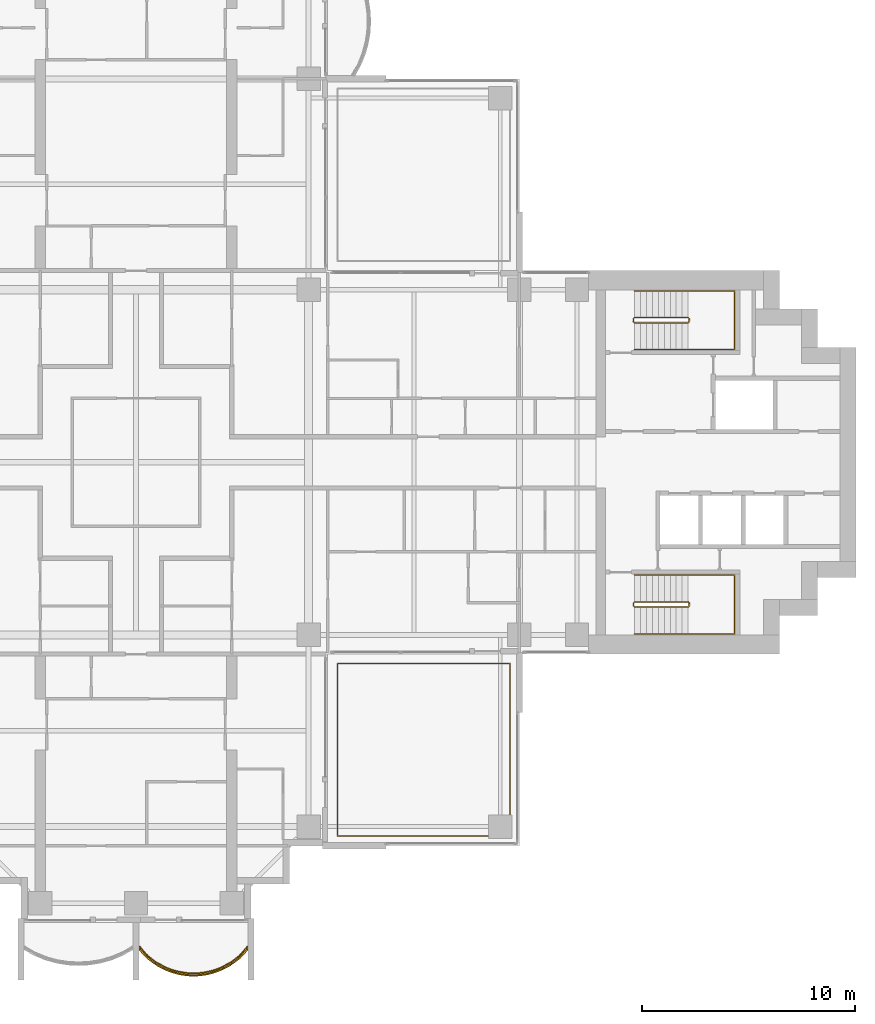
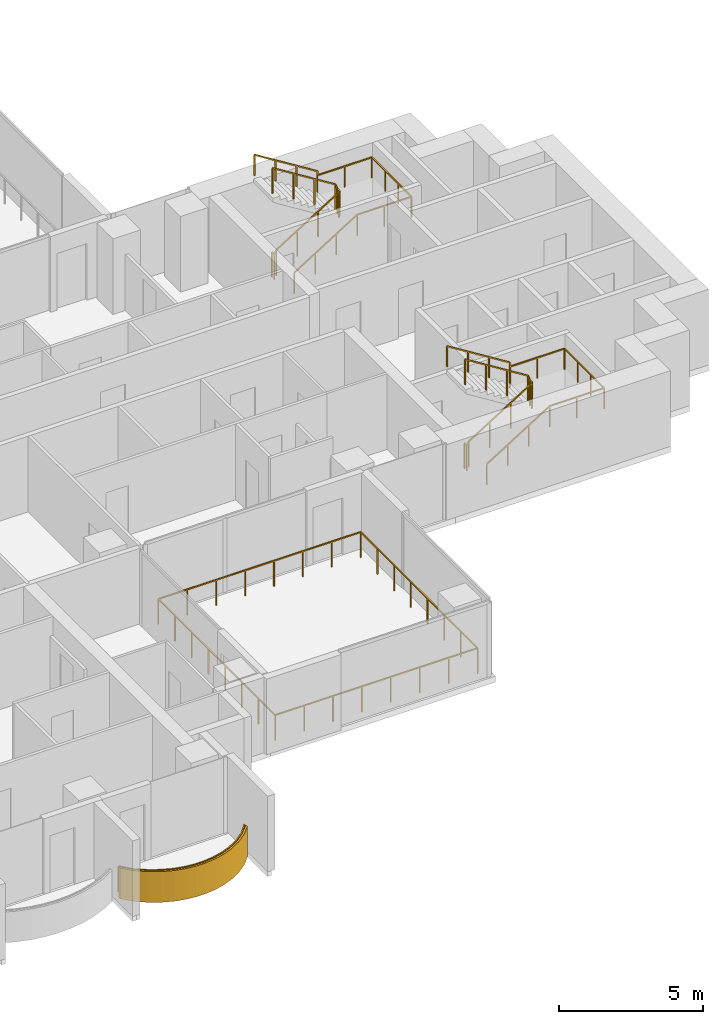
# One storey, part 17 of 19: 6 railings, 1 covering.
"""IFC4 building model written with IfcOpenShell, lengths in metres."""

from ifc_helpers import new_model, si_unit, direction, frame, origin, origin_2d, place, context, subcontext, project, spatial, polyline, rectangle, outline, extrude, material, layer, layer_set, type_object, element, save


model = new_model("IFC4")

# Units and contexts
model_context = context("Model", 3, precision=1e-05, world=origin(), true_north=direction((0.0, 1.0)))
body_context = subcontext(model_context, "Body", "Model", "MODEL_VIEW")
ifc_project = project(units=[si_unit("LENGTHUNIT", "METRE"), si_unit("AREAUNIT", "SQUARE_METRE"), si_unit("VOLUMEUNIT", "CUBIC_METRE"), si_unit("PLANEANGLEUNIT", "RADIAN"), si_unit("MASSUNIT", "GRAM", prefix="KILO")], contexts=[model_context])

# Site, building, storey
site_placement = place(None, origin())
site = spatial("IfcSite", under=ifc_project, at=site_placement, CompositionType="ELEMENT")
building_placement = place(site_placement, origin())
building = spatial("IfcBuilding", under=site, at=building_placement, Name="Perihelion Cross Residences", CompositionType="ELEMENT")
storey_placement = place(building_placement, frame((0.0, 0.0, 151.39990234375)))
storey = spatial("IfcBuildingStorey", under=building, at=storey_placement, Name="L37", CompositionType="ELEMENT", Elevation=151.39990234375)

# Covering
ifc_material_1 = material(Name="Bronze anodised aluminium", Category="aluminium")
ifc_layer = layer(ifc_material_1, 0.070068359375)
ifc_layer_set = layer_set([ifc_layer], Name="Balcony fascia 1300")
covering_type = type_object("IfcCoveringType", Name="Balcony fascia 1300", PredefinedType="CLADDING", material=ifc_layer_set)
covering_placement = place(storey_placement, frame((0.0, 0.0, -0.199951171875)))
element("IfcCovering", 1, at=covering_placement, inside=storey, type_object=covering_type, Name="Fascia BF1 L37 south tip south bay 2", PredefinedType="CLADDING", context=body_context, shape_type="SweptSolid", body=[
    extrude(outline(polyline([(0.4951171875, -23.27392578125), (0.89599609375, -23.58251953125), (1.296875, -23.806396484375), (1.69775390625, -23.9638671875), (2.0986328125, -24.064697265625), (2.49951171875, -24.114013671875), (2.900390625, -24.114013671875), (3.30126953125, -24.064697265625), (3.7021484375, -23.9638671875), (4.10302734375, -23.806396484375), (4.50390625, -23.58251953125), (4.90478515625, -23.27392578125), (5.25, -22.90283203125), (5.25, -22.800048828125), (4.857666015625, -23.22216796875), (4.46533203125, -23.524169921875), (4.072998046875, -23.7431640625), (3.6806640625, -23.897216796875), (3.28857421875, -23.995849609375), (2.896240234375, -24.0439453125), (2.50390625, -24.0439453125), (2.111572265625, -23.995849609375), (1.71923828125, -23.897216796875), (1.326904296875, -23.7431640625), (0.9345703125, -23.524169921875), (0.542236328125, -23.22216796875), (0.14990234375, -22.800048828125), (0.14990234375, -22.90283203125), (0.4951171875, -23.27392578125)])), origin(), (0.0, 0.0, 1.0), 1.300048828125),
])

# Railings
ifc_material_2 = material(Name="Bronze anodised aluminium", Category="aluminium")
railing_type_1 = type_object("IfcRailingType", Name="Balcony guard 1100", PredefinedType="GUARDRAIL", material=ifc_material_2)
railing_1_placement = place(storey_placement, frame((0.175048828125, -22.739990234375, 0.0)))
element("IfcRailing", 2, at=railing_1_placement, inside=storey, type_object=railing_type_1, Name="Guard GU1 L37 south tip south bay 2 balcony", PredefinedType="GUARDRAIL", context=body_context, shape_type="SweptSolid", body=[
    extrude(rectangle(XDim=0.048095703125, YDim=0.048095703125, at=origin_2d()), frame((0.0, 0.0, 1.076171875), z_axis=(0.656308349551, -0.754492776844, 0.0), x_axis=(0.754492776844, 0.656308349551, 0.0)), (0.0, 0.0, 1.0), 0.5595703125),
    extrude(rectangle(XDim=0.048095703125, YDim=0.048095703125, at=origin_2d()), frame((0.3671875, -0.422119140625, 1.076171875), z_axis=(0.792422303655, -0.609972862241, 0.0), x_axis=(0.609972862241, 0.792422303655, 0.0)), (0.0, 0.0, 1.0), 0.4951171875),
    extrude(rectangle(XDim=0.048095703125, YDim=0.048095703125, at=origin_2d()), frame((0.759521484375, -0.72412109375, 1.076171875), z_axis=(0.873181568748, -0.487395063576, 0.0), x_axis=(0.487395063576, 0.873181568748, 0.0)), (0.0, 0.0, 1.0), 0.44921875),
    extrude(rectangle(XDim=0.048095703125, YDim=0.048095703125, at=origin_2d()), frame((1.15185546875, -0.943115234375, 1.076171875), z_axis=(0.930617693705, -0.365992770642, 0.0), x_axis=(0.365992770642, 0.930617693705, 0.0)), (0.0, 0.0, 1.0), 0.421630859375),
    extrude(rectangle(XDim=0.048095703125, YDim=0.048095703125, at=origin_2d()), frame((1.544189453125, -1.097412109375, 1.076171875), z_axis=(0.969964714601, -0.243245662716, 0.0), x_axis=(0.243245662716, 0.969964714601, 0.0)), (0.0, 0.0, 1.0), 0.404541015625),
    extrude(rectangle(XDim=0.048095703125, YDim=0.048095703125, at=origin_2d()), frame((1.9365234375, -1.19580078125, 1.076171875), z_axis=(0.992494874491, -0.122286238425, 0.0), x_axis=(0.122286238425, 0.992494874491, 0.0)), (0.0, 0.0, 1.0), 0.395263671875),
    extrude(rectangle(XDim=0.048095703125, YDim=0.048095703125, at=origin_2d()), frame((2.328857421875, -1.244140625, 1.076171875), z_axis=(1.0, 0.0, 0.0), x_axis=(0.0, 1.0, 0.0)), (0.0, 0.0, 1.0), 0.392333984375),
    extrude(rectangle(XDim=0.048095703125, YDim=0.048095703125, at=origin_2d()), frame((2.72119140625, -1.244140625, 1.076171875), z_axis=(0.992494874491, 0.122286238425, 0.0), x_axis=(-0.122286238425, 0.992494874491, 0.0)), (0.0, 0.0, 1.0), 0.395263671875),
    extrude(rectangle(XDim=0.048095703125, YDim=0.048095703125, at=origin_2d()), frame((3.113525390625, -1.19580078125, 1.076171875), z_axis=(0.96992896989, 0.243388153715, 0.0), x_axis=(-0.243388153715, 0.96992896989, 0.0)), (0.0, 0.0, 1.0), 0.404296875),
    extrude(rectangle(XDim=0.048095703125, YDim=0.048095703125, at=origin_2d()), frame((3.505615234375, -1.097412109375, 1.076171875), z_axis=(0.930617693705, 0.365992770642, 0.0), x_axis=(-0.365992770642, 0.930617693705, 0.0)), (0.0, 0.0, 1.0), 0.421630859375),
    extrude(rectangle(XDim=0.048095703125, YDim=0.048095703125, at=origin_2d()), frame((3.89794921875, -0.943115234375, 1.076171875), z_axis=(0.873181568748, 0.487395063576, 0.0), x_axis=(-0.487395063576, 0.873181568748, 0.0)), (0.0, 0.0, 1.0), 0.44921875),
    extrude(rectangle(XDim=0.048095703125, YDim=0.048095703125, at=origin_2d()), frame((4.290283203125, -0.72412109375, 1.076171875), z_axis=(0.792422303655, 0.609972862241, 0.0), x_axis=(-0.609972862241, 0.792422303655, 0.0)), (0.0, 0.0, 1.0), 0.4951171875),
    extrude(rectangle(XDim=0.048095703125, YDim=0.048095703125, at=origin_2d()), frame((4.6826171875, -0.422119140625, 1.076171875), z_axis=(0.656556653543, 0.754276713606, 0.0), x_axis=(-0.754276713606, 0.656556653543, 0.0)), (0.0, 0.0, 1.0), 0.5595703125),
    extrude(rectangle(XDim=0.0419921875, YDim=0.0419921875, at=origin_2d()), origin(), (0.0, 0.0, 1.0), 1.052001953125),
    extrude(rectangle(XDim=0.0419921875, YDim=0.0419921875, at=origin_2d()), frame((0.3671875, -0.422119140625, 0.0)), (0.0, 0.0, 1.0), 1.052001953125),
    extrude(rectangle(XDim=0.0419921875, YDim=0.0419921875, at=origin_2d()), frame((0.759521484375, -0.72412109375, 0.0)), (0.0, 0.0, 1.0), 1.052001953125),
    extrude(rectangle(XDim=0.0419921875, YDim=0.0419921875, at=origin_2d()), frame((1.15185546875, -0.943115234375, 0.0)), (0.0, 0.0, 1.0), 1.052001953125),
    extrude(rectangle(XDim=0.0419921875, YDim=0.0419921875, at=origin_2d()), frame((1.544189453125, -1.097412109375, 0.0)), (0.0, 0.0, 1.0), 1.052001953125),
    extrude(rectangle(XDim=0.0419921875, YDim=0.0419921875, at=origin_2d()), frame((1.9365234375, -1.19580078125, 0.0)), (0.0, 0.0, 1.0), 1.052001953125),
    extrude(rectangle(XDim=0.0419921875, YDim=0.0419921875, at=origin_2d()), frame((2.328857421875, -1.244140625, 0.0)), (0.0, 0.0, 1.0), 1.052001953125),
    extrude(rectangle(XDim=0.0419921875, YDim=0.0419921875, at=origin_2d()), frame((2.72119140625, -1.244140625, 0.0)), (0.0, 0.0, 1.0), 1.052001953125),
    extrude(rectangle(XDim=0.0419921875, YDim=0.0419921875, at=origin_2d()), frame((3.113525390625, -1.19580078125, 0.0)), (0.0, 0.0, 1.0), 1.052001953125),
    extrude(rectangle(XDim=0.0419921875, YDim=0.0419921875, at=origin_2d()), frame((3.505615234375, -1.097412109375, 0.0)), (0.0, 0.0, 1.0), 1.052001953125),
    extrude(rectangle(XDim=0.0419921875, YDim=0.0419921875, at=origin_2d()), frame((3.89794921875, -0.943115234375, 0.0)), (0.0, 0.0, 1.0), 1.052001953125),
    extrude(rectangle(XDim=0.0419921875, YDim=0.0419921875, at=origin_2d()), frame((4.290283203125, -0.72412109375, 0.0)), (0.0, 0.0, 1.0), 1.052001953125),
    extrude(rectangle(XDim=0.0419921875, YDim=0.0419921875, at=origin_2d()), frame((4.6826171875, -0.422119140625, 0.0)), (0.0, 0.0, 1.0), 1.052001953125),
    extrude(rectangle(XDim=0.0419921875, YDim=0.0419921875, at=origin_2d()), frame((5.050048828125, 0.0, 0.0)), (0.0, 0.0, 1.0), 1.052001953125),
])
railing_2_placement = place(storey_placement, frame((17.550048828125, -17.550048828125, 0.0)))
element("IfcRailing", 3, at=railing_2_placement, inside=storey, type_object=railing_type_1, Name="Guard GU1 L37 pocket south-east 1", PredefinedType="GUARDRAIL", context=body_context, shape_type="SweptSolid", body=[
    extrude(rectangle(XDim=0.048095703125, YDim=0.048095703125, at=origin_2d()), frame((0.0, 0.0, 1.076171875), z_axis=(-1.0, 0.0, 0.0), x_axis=(0.0, -1.0, 0.0)), (0.0, 0.0, 1.0), 8.10009765625),
    extrude(rectangle(XDim=0.048095703125, YDim=0.048095703125, at=origin_2d()), frame((-8.10009765625, 0.0, 1.076171875), z_axis=(0.0, 1.0, 0.0), x_axis=(-1.0, 0.0, 0.0)), (0.0, 0.0, 1.0), 8.10009765625),
    extrude(rectangle(XDim=0.048095703125, YDim=0.048095703125, at=origin_2d()), frame((-8.10009765625, 8.10009765625, 1.076171875), z_axis=(1.0, 0.0, 0.0), x_axis=(0.0, 1.0, 0.0)), (0.0, 0.0, 1.0), 8.10009765625),
    extrude(rectangle(XDim=0.048095703125, YDim=0.048095703125, at=origin_2d()), frame((0.0, 8.10009765625, 1.076171875), z_axis=(0.0, -1.0, 0.0), x_axis=(1.0, 0.0, 0.0)), (0.0, 0.0, 1.0), 8.10009765625),
    extrude(rectangle(XDim=0.0419921875, YDim=0.0419921875, at=origin_2d()), origin(), (0.0, 0.0, 1.0), 1.052001953125),
    extrude(rectangle(XDim=0.0419921875, YDim=0.0419921875, at=origin_2d()), frame((-1.1572265625, 0.0, 0.0)), (0.0, 0.0, 1.0), 1.052001953125),
    extrude(rectangle(XDim=0.0419921875, YDim=0.0419921875, at=origin_2d()), frame((-2.314208984375, 0.0, 0.0)), (0.0, 0.0, 1.0), 1.052001953125),
    extrude(rectangle(XDim=0.0419921875, YDim=0.0419921875, at=origin_2d()), frame((-3.471435546875, 0.0, 0.0)), (0.0, 0.0, 1.0), 1.052001953125),
    extrude(rectangle(XDim=0.0419921875, YDim=0.0419921875, at=origin_2d()), frame((-4.628662109375, 0.0, 0.0)), (0.0, 0.0, 1.0), 1.052001953125),
    extrude(rectangle(XDim=0.0419921875, YDim=0.0419921875, at=origin_2d()), frame((-5.785888671875, 0.0, 0.0)), (0.0, 0.0, 1.0), 1.052001953125),
    extrude(rectangle(XDim=0.0419921875, YDim=0.0419921875, at=origin_2d()), frame((-6.94287109375, 0.0, 0.0)), (0.0, 0.0, 1.0), 1.052001953125),
    extrude(rectangle(XDim=0.0419921875, YDim=0.0419921875, at=origin_2d()), frame((-8.10009765625, 0.0, 0.0)), (0.0, 0.0, 1.0), 1.052001953125),
    extrude(rectangle(XDim=0.0419921875, YDim=0.0419921875, at=origin_2d()), frame((-8.10009765625, 1.1572265625, 0.0)), (0.0, 0.0, 1.0), 1.052001953125),
    extrude(rectangle(XDim=0.0419921875, YDim=0.0419921875, at=origin_2d()), frame((-8.10009765625, 2.314208984375, 0.0)), (0.0, 0.0, 1.0), 1.052001953125),
    extrude(rectangle(XDim=0.0419921875, YDim=0.0419921875, at=origin_2d()), frame((-8.10009765625, 3.471435546875, 0.0)), (0.0, 0.0, 1.0), 1.052001953125),
    extrude(rectangle(XDim=0.0419921875, YDim=0.0419921875, at=origin_2d()), frame((-8.10009765625, 4.628662109375, 0.0)), (0.0, 0.0, 1.0), 1.052001953125),
    extrude(rectangle(XDim=0.0419921875, YDim=0.0419921875, at=origin_2d()), frame((-8.10009765625, 5.785888671875, 0.0)), (0.0, 0.0, 1.0), 1.052001953125),
    extrude(rectangle(XDim=0.0419921875, YDim=0.0419921875, at=origin_2d()), frame((-8.10009765625, 6.94287109375, 0.0)), (0.0, 0.0, 1.0), 1.052001953125),
    extrude(rectangle(XDim=0.0419921875, YDim=0.0419921875, at=origin_2d()), frame((-8.10009765625, 8.10009765625, 0.0)), (0.0, 0.0, 1.0), 1.052001953125),
    extrude(rectangle(XDim=0.0419921875, YDim=0.0419921875, at=origin_2d()), frame((-6.94287109375, 8.10009765625, 0.0)), (0.0, 0.0, 1.0), 1.052001953125),
    extrude(rectangle(XDim=0.0419921875, YDim=0.0419921875, at=origin_2d()), frame((-5.785888671875, 8.10009765625, 0.0)), (0.0, 0.0, 1.0), 1.052001953125),
    extrude(rectangle(XDim=0.0419921875, YDim=0.0419921875, at=origin_2d()), frame((-4.628662109375, 8.10009765625, 0.0)), (0.0, 0.0, 1.0), 1.052001953125),
    extrude(rectangle(XDim=0.0419921875, YDim=0.0419921875, at=origin_2d()), frame((-3.471435546875, 8.10009765625, 0.0)), (0.0, 0.0, 1.0), 1.052001953125),
    extrude(rectangle(XDim=0.0419921875, YDim=0.0419921875, at=origin_2d()), frame((-2.314208984375, 8.10009765625, 0.0)), (0.0, 0.0, 1.0), 1.052001953125),
    extrude(rectangle(XDim=0.0419921875, YDim=0.0419921875, at=origin_2d()), frame((-1.1572265625, 8.10009765625, 0.0)), (0.0, 0.0, 1.0), 1.052001953125),
    extrude(rectangle(XDim=0.0419921875, YDim=0.0419921875, at=origin_2d()), frame((0.0, 8.10009765625, 0.0)), (0.0, 0.0, 1.0), 1.052001953125),
    extrude(rectangle(XDim=0.0419921875, YDim=0.0419921875, at=origin_2d()), frame((0.0, 6.94287109375, 0.0)), (0.0, 0.0, 1.0), 1.052001953125),
    extrude(rectangle(XDim=0.0419921875, YDim=0.0419921875, at=origin_2d()), frame((0.0, 5.785888671875, 0.0)), (0.0, 0.0, 1.0), 1.052001953125),
    extrude(rectangle(XDim=0.0419921875, YDim=0.0419921875, at=origin_2d()), frame((0.0, 4.628662109375, 0.0)), (0.0, 0.0, 1.0), 1.052001953125),
    extrude(rectangle(XDim=0.0419921875, YDim=0.0419921875, at=origin_2d()), frame((0.0, 3.471435546875, 0.0)), (0.0, 0.0, 1.0), 1.052001953125),
    extrude(rectangle(XDim=0.0419921875, YDim=0.0419921875, at=origin_2d()), frame((0.0, 2.314208984375, 0.0)), (0.0, 0.0, 1.0), 1.052001953125),
    extrude(rectangle(XDim=0.0419921875, YDim=0.0419921875, at=origin_2d()), frame((0.0, 1.1572265625, 0.0)), (0.0, 0.0, 1.0), 1.052001953125),
])
ifc_material_3 = material(Name="Stainless steel", Category="steel")
railing_type_2 = type_object("IfcRailingType", Name="Stair guard 1100", PredefinedType="GUARDRAIL", material=ifc_material_3)
railing_3_placement = place(storey_placement, frame((23.35009765625, 6.75, 0.0)))
element("IfcRailing", 4, at=railing_3_placement, inside=storey, type_object=railing_type_2, Name="L37 ST-E1 stair guard 1", PredefinedType="GUARDRAIL", context=body_context, shape_type="SweptSolid", body=[
    extrude(rectangle(XDim=0.048095703125, YDim=0.048095703125, at=origin_2d()), frame((0.0, 0.0, 1.076171875), z_axis=(0.0, -1.0, 0.0), x_axis=(1.0, 0.0, 0.0)), (0.0, 0.0, 1.0), 0.14990234375),
    extrude(rectangle(XDim=0.048095703125, YDim=0.048095703125, at=origin_2d()), frame((0.0, -0.14990234375, 1.076171875), z_axis=(0.263862480399, -0.265155923931, 0.927399011991), x_axis=(0.708833529934, 0.705375805398, 0.0)), (0.0, 0.0, 1.0), 0.188720703125),
    extrude(rectangle(XDim=0.048095703125, YDim=0.048095703125, at=origin_2d()), frame((0.0498046875, -0.199951171875, 1.2509765625), z_axis=(0.848007534815, 0.0, 0.529984170421), x_axis=(0.0, 1.0, 0.0)), (0.0, 0.0, 1.0), 2.9716796875),
    extrude(rectangle(XDim=0.048095703125, YDim=0.048095703125, at=origin_2d()), frame((2.56982421875, -0.199951171875, 2.826171875), z_axis=(0.707106781187, 0.707106781187, 0.0), x_axis=(-0.707106781187, 0.707106781187, 0.0)), (0.0, 0.0, 1.0), 0.07080078125),
    extrude(rectangle(XDim=0.048095703125, YDim=0.048095703125, at=origin_2d()), frame((2.619873046875, -0.14990234375, 2.826171875), z_axis=(0.0, 1.0, 0.0), x_axis=(-1.0, 0.0, 0.0)), (0.0, 0.0, 1.0), 0.14990234375),
    extrude(rectangle(XDim=0.048095703125, YDim=0.048095703125, at=origin_2d()), frame((2.619873046875, 0.0, 2.826171875), z_axis=(-0.265065253269, 0.265065253269, 0.927081885822), x_axis=(-0.707106781187, -0.707106781187, 0.0)), (0.0, 0.0, 1.0), 0.188720703125),
    extrude(rectangle(XDim=0.048095703125, YDim=0.048095703125, at=origin_2d()), frame((2.56982421875, 0.050048828125, 3.0009765625), z_axis=(-0.848007534815, 0.0, 0.529984170421), x_axis=(0.0, -1.0, 0.0)), (0.0, 0.0, 1.0), 2.9716796875),
    extrude(rectangle(XDim=0.0419921875, YDim=0.0419921875, at=origin_2d()), origin(), (0.0, 0.0, 1.0), 1.052001953125),
    extrude(rectangle(XDim=0.0419921875, YDim=0.0419921875, at=origin_2d()), frame((0.0, -0.14990234375, 0.0)), (0.0, 0.0, 1.0), 1.052001953125),
    extrude(rectangle(XDim=0.0419921875, YDim=0.0419921875, at=origin_2d()), frame((0.0498046875, -0.199951171875, 0.175048828125)), (0.0, 0.0, 1.0), 1.052001953125),
    extrude(rectangle(XDim=0.0419921875, YDim=0.0419921875, at=origin_2d()), frame((0.889892578125, -0.199951171875, 0.699951171875)), (0.0, 0.0, 1.0), 1.052001953125),
    extrude(rectangle(XDim=0.0419921875, YDim=0.0419921875, at=origin_2d()), frame((1.729736328125, -0.199951171875, 1.22509765625)), (0.0, 0.0, 1.0), 1.052001953125),
    extrude(rectangle(XDim=0.0419921875, YDim=0.0419921875, at=origin_2d()), frame((2.56982421875, -0.199951171875, 1.75)), (0.0, 0.0, 1.0), 1.052001953125),
    extrude(rectangle(XDim=0.0419921875, YDim=0.0419921875, at=origin_2d()), frame((2.619873046875, -0.14990234375, 1.75)), (0.0, 0.0, 1.0), 1.052001953125),
    extrude(rectangle(XDim=0.0419921875, YDim=0.0419921875, at=origin_2d()), frame((2.619873046875, 0.0, 1.75)), (0.0, 0.0, 1.0), 1.052001953125),
    extrude(rectangle(XDim=0.0419921875, YDim=0.0419921875, at=origin_2d()), frame((2.56982421875, 0.050048828125, 1.925048828125)), (0.0, 0.0, 1.0), 1.052001953125),
    extrude(rectangle(XDim=0.0419921875, YDim=0.0419921875, at=origin_2d()), frame((1.729736328125, 0.050048828125, 2.449951171875)), (0.0, 0.0, 1.0), 1.052001953125),
    extrude(rectangle(XDim=0.0419921875, YDim=0.0419921875, at=origin_2d()), frame((0.889892578125, 0.050048828125, 2.97509765625)), (0.0, 0.0, 1.0), 1.052001953125),
    extrude(rectangle(XDim=0.0419921875, YDim=0.0419921875, at=origin_2d()), frame((0.0498046875, 0.050048828125, 3.5)), (0.0, 0.0, 1.0), 1.052001953125),
])
railing_4_placement = place(storey_placement, frame((23.35009765625, -6.60009765625, 0.0)))
element("IfcRailing", 5, at=railing_4_placement, inside=storey, type_object=railing_type_2, Name="L37 ST-E2 stair guard 1", PredefinedType="GUARDRAIL", context=body_context, shape_type="SweptSolid", body=[
    extrude(rectangle(XDim=0.048095703125, YDim=0.048095703125, at=origin_2d()), frame((0.0, 0.0, 1.076171875), z_axis=(0.0, -1.0, 0.0), x_axis=(1.0, 0.0, 0.0)), (0.0, 0.0, 1.0), 0.14990234375),
    extrude(rectangle(XDim=0.048095703125, YDim=0.048095703125, at=origin_2d()), frame((0.0, -0.14990234375, 1.076171875), z_axis=(0.263862480399, -0.265155923931, 0.927399011991), x_axis=(0.708833529934, 0.705375805398, 0.0)), (0.0, 0.0, 1.0), 0.188720703125),
    extrude(rectangle(XDim=0.048095703125, YDim=0.048095703125, at=origin_2d()), frame((0.0498046875, -0.199951171875, 1.2509765625), z_axis=(0.848007534815, 0.0, 0.529984170421), x_axis=(0.0, 1.0, 0.0)), (0.0, 0.0, 1.0), 2.9716796875),
    extrude(rectangle(XDim=0.048095703125, YDim=0.048095703125, at=origin_2d()), frame((2.56982421875, -0.199951171875, 2.826171875), z_axis=(0.707106781187, 0.707106781187, 0.0), x_axis=(-0.707106781187, 0.707106781187, 0.0)), (0.0, 0.0, 1.0), 0.07080078125),
    extrude(rectangle(XDim=0.048095703125, YDim=0.048095703125, at=origin_2d()), frame((2.619873046875, -0.14990234375, 2.826171875), z_axis=(0.0, 1.0, 0.0), x_axis=(-1.0, 0.0, 0.0)), (0.0, 0.0, 1.0), 0.14990234375),
    extrude(rectangle(XDim=0.048095703125, YDim=0.048095703125, at=origin_2d()), frame((2.619873046875, 0.0, 2.826171875), z_axis=(-0.265065253269, 0.265065253269, 0.927081885822), x_axis=(-0.707106781187, -0.707106781187, 0.0)), (0.0, 0.0, 1.0), 0.188720703125),
    extrude(rectangle(XDim=0.048095703125, YDim=0.048095703125, at=origin_2d()), frame((2.56982421875, 0.050048828125, 3.0009765625), z_axis=(-0.848007534815, 0.0, 0.529984170421), x_axis=(0.0, -1.0, 0.0)), (0.0, 0.0, 1.0), 2.9716796875),
    extrude(rectangle(XDim=0.0419921875, YDim=0.0419921875, at=origin_2d()), origin(), (0.0, 0.0, 1.0), 1.052001953125),
    extrude(rectangle(XDim=0.0419921875, YDim=0.0419921875, at=origin_2d()), frame((0.0, -0.14990234375, 0.0)), (0.0, 0.0, 1.0), 1.052001953125),
    extrude(rectangle(XDim=0.0419921875, YDim=0.0419921875, at=origin_2d()), frame((0.0498046875, -0.199951171875, 0.175048828125)), (0.0, 0.0, 1.0), 1.052001953125),
    extrude(rectangle(XDim=0.0419921875, YDim=0.0419921875, at=origin_2d()), frame((0.889892578125, -0.199951171875, 0.699951171875)), (0.0, 0.0, 1.0), 1.052001953125),
    extrude(rectangle(XDim=0.0419921875, YDim=0.0419921875, at=origin_2d()), frame((1.729736328125, -0.199951171875, 1.22509765625)), (0.0, 0.0, 1.0), 1.052001953125),
    extrude(rectangle(XDim=0.0419921875, YDim=0.0419921875, at=origin_2d()), frame((2.56982421875, -0.199951171875, 1.75)), (0.0, 0.0, 1.0), 1.052001953125),
    extrude(rectangle(XDim=0.0419921875, YDim=0.0419921875, at=origin_2d()), frame((2.619873046875, -0.14990234375, 1.75)), (0.0, 0.0, 1.0), 1.052001953125),
    extrude(rectangle(XDim=0.0419921875, YDim=0.0419921875, at=origin_2d()), frame((2.619873046875, 0.0, 1.75)), (0.0, 0.0, 1.0), 1.052001953125),
    extrude(rectangle(XDim=0.0419921875, YDim=0.0419921875, at=origin_2d()), frame((2.56982421875, 0.050048828125, 1.925048828125)), (0.0, 0.0, 1.0), 1.052001953125),
    extrude(rectangle(XDim=0.0419921875, YDim=0.0419921875, at=origin_2d()), frame((1.729736328125, 0.050048828125, 2.449951171875)), (0.0, 0.0, 1.0), 1.052001953125),
    extrude(rectangle(XDim=0.0419921875, YDim=0.0419921875, at=origin_2d()), frame((0.889892578125, 0.050048828125, 2.97509765625)), (0.0, 0.0, 1.0), 1.052001953125),
    extrude(rectangle(XDim=0.0419921875, YDim=0.0419921875, at=origin_2d()), frame((0.0498046875, 0.050048828125, 3.5)), (0.0, 0.0, 1.0), 1.052001953125),
])
ifc_material_4 = material(Name="Stainless steel", Category="steel")
railing_type_3 = type_object("IfcRailingType", Name="Stair handrail 900", PredefinedType="HANDRAIL", material=ifc_material_4)
railing_5_placement = place(storey_placement, frame((23.39990234375, 5.300048828125, 0.175048828125)))
element("IfcRailing", 6, at=railing_5_placement, inside=storey, type_object=railing_type_3, Name="L37 ST-E1 stair handrail 1", PredefinedType="HANDRAIL", context=body_context, shape_type="SweptSolid", body=[
    extrude(rectangle(XDim=0.048095703125, YDim=0.048095703125, at=origin_2d()), frame((0.0, 0.0, 0.8759765625), z_axis=(0.848007534815, 0.0, 0.529984170421), x_axis=(0.0, 1.0, 0.0)), (0.0, 0.0, 1.0), 2.9716796875),
    extrude(rectangle(XDim=0.048095703125, YDim=0.048095703125, at=origin_2d()), frame((2.52001953125, 0.0, 2.45068359375), z_axis=(1.0, 0.0, 0.0), x_axis=(0.0, 1.0, 0.0)), (0.0, 0.0, 1.0), 2.18017578125),
    extrude(rectangle(XDim=0.048095703125, YDim=0.048095703125, at=origin_2d()), frame((4.7001953125, 0.0, 2.45068359375), z_axis=(0.0, 1.0, 0.0), x_axis=(-1.0, 0.0, 0.0)), (0.0, 0.0, 1.0), 2.75),
    extrude(rectangle(XDim=0.048095703125, YDim=0.048095703125, at=origin_2d()), frame((4.7001953125, 2.75, 2.45068359375), z_axis=(-1.0, 0.0, 0.0), x_axis=(0.0, -1.0, 0.0)), (0.0, 0.0, 1.0), 2.18017578125),
    extrude(rectangle(XDim=0.048095703125, YDim=0.048095703125, at=origin_2d()), frame((2.52001953125, 2.75, 2.45068359375), z_axis=(0.0, 0.0, 1.0), x_axis=(1.0, 0.0, 0.0)), (0.0, 0.0, 1.0), 0.175048828125),
    extrude(rectangle(XDim=0.048095703125, YDim=0.048095703125, at=origin_2d()), frame((2.52001953125, 2.75, 2.6259765625), z_axis=(-0.848007534815, 0.0, 0.529984170421), x_axis=(0.0, -1.0, 0.0)), (0.0, 0.0, 1.0), 2.9716796875),
    extrude(rectangle(XDim=0.0419921875, YDim=0.0419921875, at=origin_2d()), origin(), (0.0, 0.0, 1.0), 0.851806640625),
    extrude(rectangle(XDim=0.0419921875, YDim=0.0419921875, at=origin_2d()), frame((0.840087890625, 0.0, 0.52490234375)), (0.0, 0.0, 1.0), 0.851806640625),
    extrude(rectangle(XDim=0.0419921875, YDim=0.0419921875, at=origin_2d()), frame((1.679931640625, 0.0, 1.050048828125)), (0.0, 0.0, 1.0), 0.851806640625),
    extrude(rectangle(XDim=0.0419921875, YDim=0.0419921875, at=origin_2d()), frame((2.52001953125, 0.0, 1.574951171875)), (0.0, 0.0, 1.0), 0.851806640625),
    extrude(rectangle(XDim=0.0419921875, YDim=0.0419921875, at=origin_2d()), frame((3.610107421875, 0.0, 1.574951171875)), (0.0, 0.0, 1.0), 0.851806640625),
    extrude(rectangle(XDim=0.0419921875, YDim=0.0419921875, at=origin_2d()), frame((4.7001953125, 0.0, 1.574951171875)), (0.0, 0.0, 1.0), 0.851806640625),
    extrude(rectangle(XDim=0.0419921875, YDim=0.0419921875, at=origin_2d()), frame((4.7001953125, 0.916748046875, 1.574951171875)), (0.0, 0.0, 1.0), 0.851806640625),
    extrude(rectangle(XDim=0.0419921875, YDim=0.0419921875, at=origin_2d()), frame((4.7001953125, 1.833251953125, 1.574951171875)), (0.0, 0.0, 1.0), 0.851806640625),
    extrude(rectangle(XDim=0.0419921875, YDim=0.0419921875, at=origin_2d()), frame((4.7001953125, 2.75, 1.574951171875)), (0.0, 0.0, 1.0), 0.851806640625),
    extrude(rectangle(XDim=0.0419921875, YDim=0.0419921875, at=origin_2d()), frame((3.610107421875, 2.75, 1.574951171875)), (0.0, 0.0, 1.0), 0.851806640625),
    extrude(rectangle(XDim=0.0419921875, YDim=0.0419921875, at=origin_2d()), frame((2.52001953125, 2.75, 1.574951171875)), (0.0, 0.0, 1.0), 0.851806640625),
    extrude(rectangle(XDim=0.0419921875, YDim=0.0419921875, at=origin_2d()), frame((2.52001953125, 2.75, 1.75)), (0.0, 0.0, 1.0), 0.851806640625),
    extrude(rectangle(XDim=0.0419921875, YDim=0.0419921875, at=origin_2d()), frame((1.679931640625, 2.75, 2.27490234375)), (0.0, 0.0, 1.0), 0.851806640625),
    extrude(rectangle(XDim=0.0419921875, YDim=0.0419921875, at=origin_2d()), frame((0.840087890625, 2.75, 2.800048828125)), (0.0, 0.0, 1.0), 0.851806640625),
    extrude(rectangle(XDim=0.0419921875, YDim=0.0419921875, at=origin_2d()), frame((0.0, 2.75, 3.324951171875)), (0.0, 0.0, 1.0), 0.851806640625),
])
railing_6_placement = place(storey_placement, frame((23.39990234375, -8.050048828125, 0.175048828125)))
element("IfcRailing", 7, at=railing_6_placement, inside=storey, type_object=railing_type_3, Name="L37 ST-E2 stair handrail 1", PredefinedType="HANDRAIL", context=body_context, shape_type="SweptSolid", body=[
    extrude(rectangle(XDim=0.048095703125, YDim=0.048095703125, at=origin_2d()), frame((0.0, 0.0, 0.8759765625), z_axis=(0.848007534815, 0.0, 0.529984170421), x_axis=(0.0, 1.0, 0.0)), (0.0, 0.0, 1.0), 2.9716796875),
    extrude(rectangle(XDim=0.048095703125, YDim=0.048095703125, at=origin_2d()), frame((2.52001953125, 0.0, 2.45068359375), z_axis=(1.0, 0.0, 0.0), x_axis=(0.0, 1.0, 0.0)), (0.0, 0.0, 1.0), 2.18017578125),
    extrude(rectangle(XDim=0.048095703125, YDim=0.048095703125, at=origin_2d()), frame((4.7001953125, 0.0, 2.45068359375), z_axis=(0.0, 1.0, 0.0), x_axis=(-1.0, 0.0, 0.0)), (0.0, 0.0, 1.0), 2.75),
    extrude(rectangle(XDim=0.048095703125, YDim=0.048095703125, at=origin_2d()), frame((4.7001953125, 2.75, 2.45068359375), z_axis=(-1.0, 0.0, 0.0), x_axis=(0.0, -1.0, 0.0)), (0.0, 0.0, 1.0), 2.18017578125),
    extrude(rectangle(XDim=0.048095703125, YDim=0.048095703125, at=origin_2d()), frame((2.52001953125, 2.75, 2.45068359375), z_axis=(0.0, 0.0, 1.0), x_axis=(1.0, 0.0, 0.0)), (0.0, 0.0, 1.0), 0.175048828125),
    extrude(rectangle(XDim=0.048095703125, YDim=0.048095703125, at=origin_2d()), frame((2.52001953125, 2.75, 2.6259765625), z_axis=(-0.848007534815, 0.0, 0.529984170421), x_axis=(0.0, -1.0, 0.0)), (0.0, 0.0, 1.0), 2.9716796875),
    extrude(rectangle(XDim=0.0419921875, YDim=0.0419921875, at=origin_2d()), origin(), (0.0, 0.0, 1.0), 0.851806640625),
    extrude(rectangle(XDim=0.0419921875, YDim=0.0419921875, at=origin_2d()), frame((0.840087890625, 0.0, 0.52490234375)), (0.0, 0.0, 1.0), 0.851806640625),
    extrude(rectangle(XDim=0.0419921875, YDim=0.0419921875, at=origin_2d()), frame((1.679931640625, 0.0, 1.050048828125)), (0.0, 0.0, 1.0), 0.851806640625),
    extrude(rectangle(XDim=0.0419921875, YDim=0.0419921875, at=origin_2d()), frame((2.52001953125, 0.0, 1.574951171875)), (0.0, 0.0, 1.0), 0.851806640625),
    extrude(rectangle(XDim=0.0419921875, YDim=0.0419921875, at=origin_2d()), frame((3.610107421875, 0.0, 1.574951171875)), (0.0, 0.0, 1.0), 0.851806640625),
    extrude(rectangle(XDim=0.0419921875, YDim=0.0419921875, at=origin_2d()), frame((4.7001953125, 0.0, 1.574951171875)), (0.0, 0.0, 1.0), 0.851806640625),
    extrude(rectangle(XDim=0.0419921875, YDim=0.0419921875, at=origin_2d()), frame((4.7001953125, 0.916748046875, 1.574951171875)), (0.0, 0.0, 1.0), 0.851806640625),
    extrude(rectangle(XDim=0.0419921875, YDim=0.0419921875, at=origin_2d()), frame((4.7001953125, 1.833251953125, 1.574951171875)), (0.0, 0.0, 1.0), 0.851806640625),
    extrude(rectangle(XDim=0.0419921875, YDim=0.0419921875, at=origin_2d()), frame((4.7001953125, 2.75, 1.574951171875)), (0.0, 0.0, 1.0), 0.851806640625),
    extrude(rectangle(XDim=0.0419921875, YDim=0.0419921875, at=origin_2d()), frame((3.610107421875, 2.75, 1.574951171875)), (0.0, 0.0, 1.0), 0.851806640625),
    extrude(rectangle(XDim=0.0419921875, YDim=0.0419921875, at=origin_2d()), frame((2.52001953125, 2.75, 1.574951171875)), (0.0, 0.0, 1.0), 0.851806640625),
    extrude(rectangle(XDim=0.0419921875, YDim=0.0419921875, at=origin_2d()), frame((2.52001953125, 2.75, 1.75)), (0.0, 0.0, 1.0), 0.851806640625),
    extrude(rectangle(XDim=0.0419921875, YDim=0.0419921875, at=origin_2d()), frame((1.679931640625, 2.75, 2.27490234375)), (0.0, 0.0, 1.0), 0.851806640625),
    extrude(rectangle(XDim=0.0419921875, YDim=0.0419921875, at=origin_2d()), frame((0.840087890625, 2.75, 2.800048828125)), (0.0, 0.0, 1.0), 0.851806640625),
    extrude(rectangle(XDim=0.0419921875, YDim=0.0419921875, at=origin_2d()), frame((0.0, 2.75, 3.324951171875)), (0.0, 0.0, 1.0), 0.851806640625),
])

save(model, "model.ifc")
